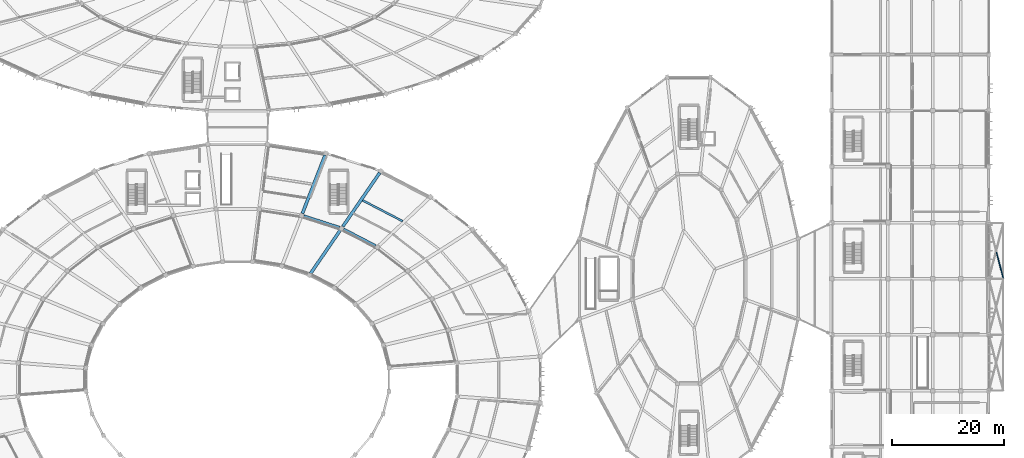
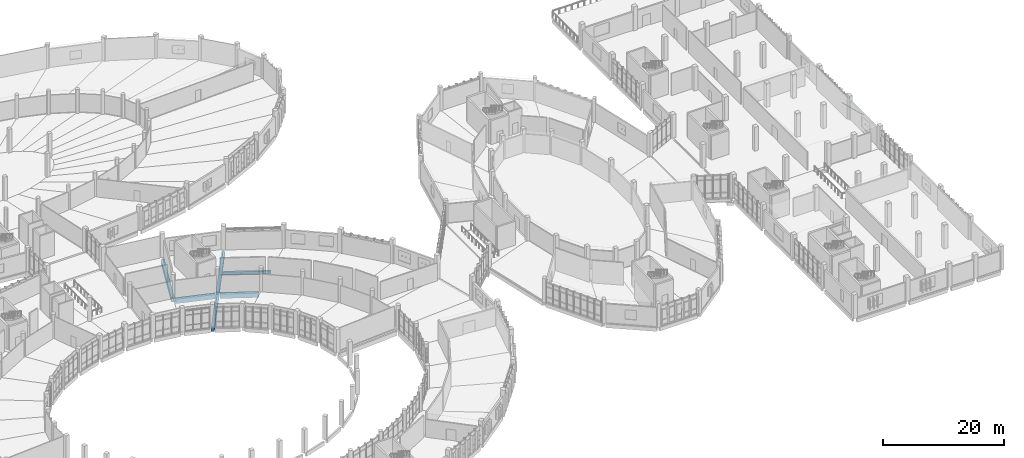
# One storey, part 60 of 179: 6 beams, 1 member.
"""IFC4 building model written with IfcOpenShell, lengths in metres."""

import ifcopenshell
import ifcopenshell.guid

model = None  # the IFC model being written
_history = None  # IfcOwnerHistory: only IFC2X3 demands one
_inside = {}  # id of a spatial element -> (the spatial element, [elements in it])
_under = {}  # id of a project, library or spatial element -> (it, [spatial elements below it])
_declared = {}  # id of a project -> (the project, [libraries it declares])
_typed = {}  # id of a type object -> (the type object, [elements of that type])
_made_of = {}  # id of a material, layer set ... -> (it, [elements and type objects made of it])


def new_model(schema):
    """Start an empty IFC model of exactly this schema.

    Asked for "IFC4X3", IfcOpenShell would pick the latest addendum, in which some entities
    have other attributes; the version numbers below select the first issue.
    IFC2X3 requires an IfcOwnerHistory on every rooted entity: one is made here for all.
    """
    global model, _history
    if schema == "IFC4X3":
        model = ifcopenshell.file(schema_version=(4, 3, 0, 0))
    else:
        model = ifcopenshell.file(schema=schema)
    _inside.clear()
    _under.clear()
    _declared.clear()
    _typed.clear()
    _made_of.clear()
    _history = None
    if model.schema == "IFC2X3":
        org = make("IfcOrganization", Name="unknown")
        user = make(
            "IfcPersonAndOrganization",
            ThePerson=make("IfcPerson", FamilyName="unknown"),
            TheOrganization=org,
        )
        app = make(
            "IfcApplication",
            ApplicationDeveloper=org,
            Version="unknown",
            ApplicationFullName="unknown",
            ApplicationIdentifier="unknown",
        )
        _history = make(
            "IfcOwnerHistory",
            OwningUser=user,
            OwningApplication=app,
            ChangeAction="ADDED",
            CreationDate=0,
        )
    return model


def make(cls, **values):
    """One entity of the class cls with the attributes given. An attribute that is None is left unset."""
    return model.create_entity(
        cls, **{name: value for name, value in values.items() if value is not None}
    )


def rooted(cls, **values):
    """An entity with a GlobalId (a new one), such as an element, a storey or a relation."""
    return make(cls, GlobalId=ifcopenshell.guid.new(), OwnerHistory=_history, **values)


def si_unit(unit_type, name, prefix=None):
    """IfcSIUnit, for example si_unit("LENGTHUNIT", "METRE", prefix="MILLI")."""
    return make("IfcSIUnit", UnitType=unit_type, Prefix=prefix, Name=name)


def assignment(units):
    """IfcUnitAssignment: the units of a project."""
    return None if units is None else make("IfcUnitAssignment", Units=units)


def point(xyz):
    """IfcCartesianPoint."""
    return None if xyz is None else make("IfcCartesianPoint", Coordinates=xyz)


def direction(xyz):
    """IfcDirection."""
    return None if xyz is None else make("IfcDirection", DirectionRatios=xyz)


def frame(location, z_axis=None, x_axis=None):
    """IfcAxis2Placement3D, a coordinate frame: its origin and axes. An axis left out is left unset."""
    return make(
        "IfcAxis2Placement3D",
        Location=point(location),
        Axis=direction(z_axis),
        RefDirection=direction(x_axis),
    )


def frame_2d(location, x_axis=None):
    """IfcAxis2Placement2D, a coordinate frame in the plane: its origin and x axis."""
    return make(
        "IfcAxis2Placement2D", Location=point(location), RefDirection=direction(x_axis)
    )


def origin():
    """The frame at (0, 0, 0) with its axes left unset."""
    return frame((0.0, 0.0, 0.0))


def origin_2d():
    """The frame at (0, 0) in the plane with its x axis left unset."""
    return frame_2d((0.0, 0.0))


def place(relative_to, where):
    """IfcLocalPlacement: puts the frame where relative to a parent placement (None: the world)."""
    return make(
        "IfcLocalPlacement", PlacementRelTo=relative_to, RelativePlacement=where
    )


def context(
    kind, dimensions, precision=None, world=None, true_north=None, identifier=None
):
    """IfcGeometricRepresentationContext, for example the 3D "Model" context."""
    return make(
        "IfcGeometricRepresentationContext",
        ContextIdentifier=identifier,
        ContextType=kind,
        CoordinateSpaceDimension=dimensions,
        Precision=precision,
        WorldCoordinateSystem=world,
        TrueNorth=true_north,
    )


def subcontext(parent, identifier, kind, view, scale=None):
    """IfcGeometricRepresentationSubContext, for example "Body" below "Model"."""
    return make(
        "IfcGeometricRepresentationSubContext",
        ContextIdentifier=identifier,
        ContextType=kind,
        ParentContext=parent,
        TargetScale=scale,
        TargetView=view,
    )


def project(units=None, contexts=None):
    """IfcProject with its units and contexts."""
    return rooted(
        "IfcProject",
        Name="project",
        RepresentationContexts=contexts,
        UnitsInContext=assignment(units),
    )


def spatial(cls, under=None, at=None, **own):
    """A site, building, storey or space (cls), placed at a placement, below another one or the project."""
    s = rooted(cls, ObjectPlacement=at, **own)
    if under is not None:
        _under.setdefault(under.id(), (under, []))[1].append(s)
    return s


def profile(cls, at=None, kind="AREA", **sizes):
    """A parametric profile (cls). Its sizes go by their IFC names, for example OverallWidth=200.0."""
    return make(cls, ProfileType=kind, Position=at, **sizes)


def rectangle(**sizes):
    """IfcRectangleProfileDef."""
    return profile("IfcRectangleProfileDef", **sizes)


def hollow_circle(**sizes):
    """IfcCircleHollowProfileDef."""
    return profile("IfcCircleHollowProfileDef", **sizes)


def extrude(swept, where, along, depth):
    """IfcExtrudedAreaSolid: the profile swept, set in the frame where, extruded along a direction by depth."""
    return make(
        "IfcExtrudedAreaSolid",
        SweptArea=swept,
        Position=where,
        ExtrudedDirection=direction(along),
        Depth=depth,
    )


def shape(context_of_items, identifier, shape_type, items):
    """IfcShapeRepresentation: the items that make up one representation, for example the "Body"."""
    return make(
        "IfcShapeRepresentation",
        ContextOfItems=context_of_items,
        RepresentationIdentifier=identifier,
        RepresentationType=shape_type,
        Items=items,
    )


def material(Name=None, Category=None):
    """IfcMaterial."""
    return make("IfcMaterial", Name=Name, Category=Category)


def material_profile(
    of_material, cross_section, Name=None, Category=None, Priority=None
):
    """IfcMaterialProfile: a cross section and its material."""
    return make(
        "IfcMaterialProfile",
        Name=Name,
        Material=of_material,
        Profile=cross_section,
        Priority=Priority,
        Category=Category,
    )


def profile_set(profiles, Name=None, composite=None):
    """IfcMaterialProfileSet."""
    return make(
        "IfcMaterialProfileSet",
        Name=Name,
        MaterialProfiles=profiles,
        CompositeProfile=composite,
    )


def made_of(thing, what):
    """Note that an element or type object is made of a material, layer set ...; save() writes the relation."""
    if what is not None:
        _made_of.setdefault(what.id(), (what, []))[1].append(thing)
    return thing


def type_object(cls, material=None, **own):
    """A type object (cls), such as IfcWallType, which elements share."""
    return made_of(rooted(cls, **own), material)


def element(
    cls,
    number,
    at=None,
    inside=None,
    cuts=None,
    type_object=None,
    material=None,
    context=None,
    identifier="Body",
    shape_type=None,
    held_by="IfcProductDefinitionShape",
    body=None,
    shapes=None,
    **own,
):
    """One element of the class cls, such as IfcWall. Its Tag is "e" and its number.

    at: its placement. inside: the storey or other place that contains it. cuts: it is an
    opening in that element (IfcRelVoidsElement). A single representation is given by context,
    identifier, shape_type and body (its items); several are given by shapes. held_by: the class
    of the entity that holds the representations. save() writes the other relations.
    """
    e = rooted(cls, Tag="e%d" % number, ObjectPlacement=at, **own)
    if body is not None:
        shapes = [shape(context, identifier, shape_type, body)]
    if shapes is not None:
        e.Representation = make(held_by, Representations=shapes)
    if inside is not None:
        _inside.setdefault(inside.id(), (inside, []))[1].append(e)
    if cuts is not None:
        rooted(
            "IfcRelVoidsElement", RelatingBuildingElement=cuts, RelatedOpeningElement=e
        )
    if type_object is not None:
        _typed.setdefault(type_object.id(), (type_object, []))[1].append(e)
    return made_of(e, material)


def aggregate(whole, parts):
    """IfcRelAggregates: a whole, such as a stair, and the parts it consists of."""
    return rooted("IfcRelAggregates", RelatingObject=whole, RelatedObjects=parts)


def save(model, path):
    """Write the relations noted so far, then the file.

    IfcRelAggregates (storeys below a building ...), IfcRelContainedInSpatialStructure (elements
    in a storey), IfcRelDefinesByType, IfcRelAssociatesMaterial and IfcRelDeclares: one each for
    every whole, place, type object, material and project.
    """
    for whole, parts in _under.values():
        aggregate(whole, parts)
    for where, things in _inside.values():
        rooted(
            "IfcRelContainedInSpatialStructure",
            RelatedElements=things,
            RelatingStructure=where,
        )
    for kind, things in _typed.values():
        rooted("IfcRelDefinesByType", RelatedObjects=things, RelatingType=kind)
    for what, things in _made_of.values():
        rooted("IfcRelAssociatesMaterial", RelatedObjects=things, RelatingMaterial=what)
    for by, libraries in _declared.values():
        rooted("IfcRelDeclares", RelatingContext=by, RelatedDefinitions=libraries)
    model.write(path)


model = new_model("IFC4")

# Units and contexts
model_context = context("Model", 3, precision=1e-05, world=origin(), true_north=direction((0.0, 1.0)))
body_context = subcontext(model_context, "Body", "Model", "MODEL_VIEW")
ifc_project = project(units=[si_unit("LENGTHUNIT", "METRE"), si_unit("AREAUNIT", "SQUARE_METRE"), si_unit("VOLUMEUNIT", "CUBIC_METRE"), si_unit("PLANEANGLEUNIT", "RADIAN"), si_unit("MASSUNIT", "GRAM", prefix="KILO")], contexts=[model_context])

# Site, building, storey
site_placement = place(None, origin())
site = spatial("IfcSite", under=ifc_project, at=site_placement, CompositionType="ELEMENT")
building_placement = place(site_placement, origin())
building = spatial("IfcBuilding", under=site, at=building_placement, Name="Corvandel Quay Wholesale Market", CompositionType="ELEMENT")
storey_placement = place(building_placement, frame((0.0, 0.0, 6.0)))
storey = spatial("IfcBuildingStorey", under=building, at=storey_placement, Name="L01", CompositionType="ELEMENT", Elevation=6.0)

# Beams
ifc_material_1 = material(Name="Precast concrete C45/55", Category="concrete")
ifc_material_profile_1 = material_profile(ifc_material_1, rectangle(XDim=0.550048828125, YDim=0.89990234375, at=origin_2d()), Name="PC-GIR-550x900")
ifc_profile_set_1 = profile_set([ifc_material_profile_1], Name="Precast concrete C45/55")
beam_type_1 = type_object("IfcBeamType", Name="Produce Hall Radial Girder G03 550x900", PredefinedType="USERDEFINED", material=ifc_profile_set_1)
beam_1_placement = place(storey_placement, frame((138.6064453125, 65.833984375, -0.75), z_axis=(-0.887355240172, 0.461086410274, 0.0), x_axis=(-0.461086410274, -0.887355240172, 0.0)))
element("IfcBeam", 1, at=beam_1_placement, inside=storey, type_object=beam_type_1, Name="Beam BM-0054", ObjectType="GIRDER", PredefinedType="USERDEFINED", context=body_context, shape_type="SweptSolid", body=[
    extrude(rectangle(XDim=0.550048828125, YDim=0.89990234375, at=origin_2d()), origin(), (0.0, 0.0, 1.0), 6.43701171875),
])
beam_2_placement = place(storey_placement, frame((132.16796875, 69.105224609375, -0.75), z_axis=(-0.951797597933, 0.306726804453, 0.0), x_axis=(-0.306726804453, -0.951797597933, 0.0)))
element("IfcBeam", 2, at=beam_2_placement, inside=storey, type_object=beam_type_1, Name="Beam BM-0067", ObjectType="GIRDER", PredefinedType="USERDEFINED", context=body_context, shape_type="SweptSolid", body=[
    extrude(rectangle(XDim=0.550048828125, YDim=0.89990234375, at=origin_2d()), origin(), (0.0, 0.0, 1.0), 6.69482421875),
])
beam_3_placement = place(storey_placement, frame((139.355224609375, 78.89453125, -0.75), z_axis=(-0.566411220677, -0.824122763362, 0.0), x_axis=(0.824122763362, -0.566411220677, 0.0)))
element("IfcBeam", 3, at=beam_3_placement, inside=storey, type_object=beam_type_1, Name="Beam BM-0068", ObjectType="GIRDER", PredefinedType="USERDEFINED", context=body_context, shape_type="SweptSolid", body=[
    extrude(rectangle(XDim=0.550048828125, YDim=0.89990234375, at=origin_2d()), origin(), (0.0, 0.0, 1.0), 11.630615234375),
])
beam_4_placement = place(storey_placement, frame((132.3203125, 68.658447265625, -0.72998046875), z_axis=(-0.566385457801, -0.824140469333, 0.0), x_axis=(0.824140469333, -0.566385457801, 0.0)))
element("IfcBeam", 4, at=beam_4_placement, inside=storey, type_object=beam_type_1, Name="Beam BM-0070", ObjectType="GIRDER", PredefinedType="USERDEFINED", context=body_context, shape_type="SweptSolid", body=[
    extrude(rectangle(XDim=0.550048828125, YDim=0.89990234375, at=origin_2d()), origin(), (0.0, 0.0, 1.0), 9.39599609375),
])
beam_5_placement = place(storey_placement, frame((129.607421875, 82.01806640625, -0.75), z_axis=(-0.363314053574, -0.931666731442, 0.0), x_axis=(0.931666731442, -0.363314053574, 0.0)))
element("IfcBeam", 5, at=beam_5_placement, inside=storey, type_object=beam_type_1, Name="Beam BM-0080", ObjectType="GIRDER", PredefinedType="USERDEFINED", context=body_context, shape_type="SweptSolid", body=[
    extrude(rectangle(XDim=0.550048828125, YDim=0.89990234375, at=origin_2d()), origin(), (0.0, 0.0, 1.0), 11.130615234375),
])

# Member
ifc_material_2 = material(Name="Steel A500 Grade C", Category="steel")
ifc_material_profile_2 = material_profile(ifc_material_2, hollow_circle(Radius=0.083984375, WallThickness=0.00732421875, at=origin_2d()), Name="HSS6.625X0.312")
ifc_profile_set_2 = profile_set([ifc_material_profile_2], Name="Steel A500 Grade C")
member_type = type_object("IfcMemberType", Name="Roof Diaphragm Wind Brace BR06 CHS168", PredefinedType="BRACE", material=ifc_profile_set_2)
member_placement = place(storey_placement, frame((250.60009765625, 60.0, -0.25), z_axis=(-0.251632048062, 0.967822975749, 0.0), x_axis=(-0.967822975749, -0.251632048062, 0.0)))
element("IfcMember", 6, at=member_placement, inside=storey, type_object=member_type, Name="Member MEM-0126", PredefinedType="BRACE", context=body_context, shape_type="SweptSolid", body=[
    extrude(hollow_circle(Radius=0.083984375, WallThickness=0.00732421875, at=origin_2d()), origin(), (0.0, 0.0, 1.0), 5.0712890625),
])

# Beam
ifc_material_profile_3 = material_profile(ifc_material_1, rectangle(XDim=0.35009765625, YDim=0.60009765625, at=origin_2d()), Name="PC-BM-350x600")
ifc_profile_set_3 = profile_set([ifc_material_profile_3], Name="Precast concrete C45/55")
beam_type_2 = type_object("IfcBeamType", Name="Trading Gallery Secondary Beam B02 350x600", PredefinedType="BEAM", material=ifc_profile_set_3)
beam_6_placement = place(storey_placement, frame((143.454833984375, 70.26025390625, -0.60009765625), z_axis=(-0.887357981749, 0.461081134104, 0.0), x_axis=(-0.461081134104, -0.887357981749, 0.0)))
element("IfcBeam", 7, at=beam_6_placement, inside=storey, type_object=beam_type_2, Name="Beam BM-0056", PredefinedType="BEAM", context=body_context, shape_type="SweptSolid", body=[
    extrude(rectangle(XDim=0.35009765625, YDim=0.60009765625, at=origin_2d()), origin(), (0.0, 0.0, 1.0), 8.06689453125),
])

save(model, "model.ifc")
